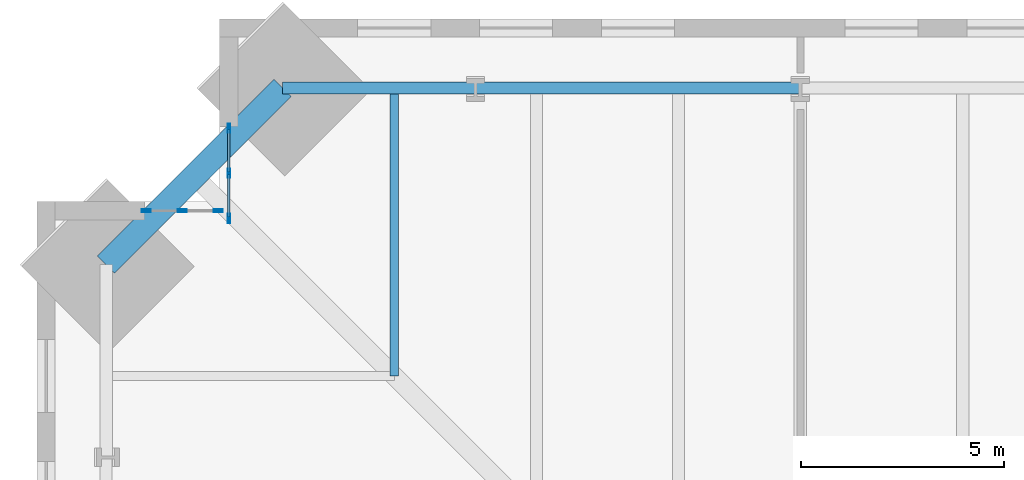
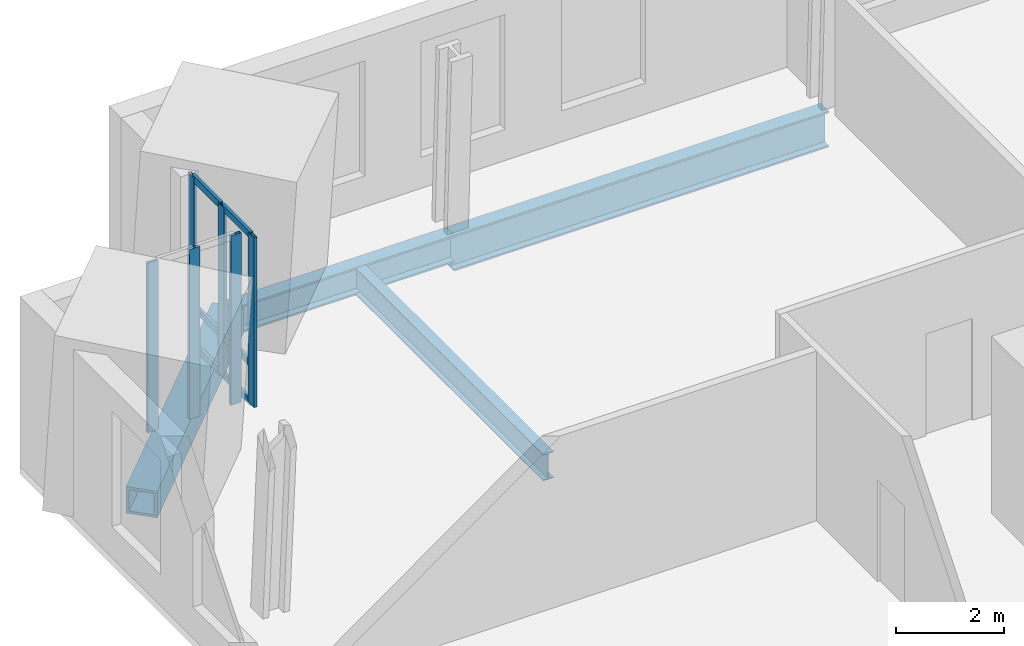
# One storey, part 6 of 17: 12 members, 4 beams, 2 elements without a shape of their own.
"""IFC4 building model written with IfcOpenShell, lengths in metres."""

from ifc_helpers import new_model, si_unit, direction, frame, origin, origin_2d, place, context, subcontext, project, spatial, hollow_rectangle, i_section, extrude, material, material_profile, profile_set, type_object, element, aggregate, save


model = new_model("IFC4")

# Units and contexts
model_context = context("Model", 3, precision=1e-05, world=origin(), true_north=direction((0.0, 1.0)))
body_context = subcontext(model_context, "Body", "Model", "MODEL_VIEW")
ifc_project = project(units=[si_unit("LENGTHUNIT", "METRE"), si_unit("AREAUNIT", "SQUARE_METRE"), si_unit("VOLUMEUNIT", "CUBIC_METRE"), si_unit("PLANEANGLEUNIT", "RADIAN"), si_unit("MASSUNIT", "GRAM", prefix="KILO")], contexts=[model_context])

# Site, building, storey
site_placement = place(None, origin())
site = spatial("IfcSite", under=ifc_project, at=site_placement, CompositionType="ELEMENT")
building_placement = place(site_placement, origin())
building = spatial("IfcBuilding", under=site, at=building_placement, Name="Peilmerk Tower", CompositionType="ELEMENT")
storey_placement = place(building_placement, frame((0.0, 0.0, 143.800048828125)))
storey = spatial("IfcBuildingStorey", under=building, at=storey_placement, Name="L29", CompositionType="ELEMENT", Elevation=143.800048828125)

# Beams
ifc_material_1 = material(Name="Steel S355", Category="steel")
ifc_material_profile_1 = material_profile(ifc_material_1, i_section(OverallWidth=0.219970703125, OverallDepth=0.60009765625, WebThickness=0.011962890625, FlangeThickness=0.01904296875, at=origin_2d()), Name="IPE 600")
ifc_profile_set_1 = profile_set([ifc_material_profile_1], Name="Steel S355")
beam_type_1 = type_object("IfcBeamType", Name="B10 IPE 600 floor beam", PredefinedType="BEAM", material=ifc_profile_set_1)
beam_1_placement = place(storey_placement, frame((-18.0, 18.0, -0.469970703125), z_axis=(0.0, 1.0, 0.0), x_axis=(-1.0, 0.0, 0.0)))
element("IfcBeam", 1, at=beam_1_placement, inside=storey, type_object=beam_type_1, Name="Floor beam L29", PredefinedType="BEAM", context=body_context, shape_type="SweptSolid", body=[
    extrude(i_section(OverallWidth=0.219970703125, OverallDepth=0.60009765625, WebThickness=0.011962890625, FlangeThickness=0.01904296875, at=origin_2d()), origin(), (0.0, 0.0, 1.0), 7.098388671875),
])
ifc_material_profile_2 = material_profile(ifc_material_1, i_section(OverallWidth=0.302978515625, OverallDepth=0.81396484375, WebThickness=0.02099609375, FlangeThickness=0.0400390625, at=origin_2d()), Name="HEM 800")
ifc_profile_set_2 = profile_set([ifc_material_profile_2], Name="Steel S355")
beam_type_2 = type_object("IfcBeamType", Name="B15 HEM 800 edge beam", PredefinedType="SPANDREL", material=ifc_profile_set_2)
beam_2_placement = place(storey_placement, frame((-8.0, 25.098388671875, -0.5771484375), z_axis=(-1.0, 0.0, 0.0), x_axis=(0.0, -1.0, 0.0)))
element("IfcBeam", 2, at=beam_2_placement, inside=storey, type_object=beam_type_2, Name="Edge beam L29", PredefinedType="SPANDREL", context=body_context, shape_type="SweptSolid", body=[
    extrude(i_section(OverallWidth=0.302978515625, OverallDepth=0.81396484375, WebThickness=0.02099609375, FlangeThickness=0.0400390625, at=origin_2d()), origin(), (0.0, 0.0, 1.0), 8.0),
])
ifc_material_2 = material(Name="Steel S460", Category="steel")
ifc_material_profile_3 = material_profile(ifc_material_2, hollow_rectangle(XDim=0.60009765625, YDim=0.60009765625, WallThickness=0.06005859375, at=origin_2d()), Name="BOX 600x600x60")
ifc_profile_set_3 = profile_set([ifc_material_profile_3], Name="Steel S460")
beam_type_3 = type_object("IfcBeamType", Name="B20 BOX 600x600x60 notch beam", PredefinedType="SPANDREL", material=ifc_profile_set_3)
beam_3_placement = place(storey_placement, frame((-25.098388671875, 20.748291015625, -0.469970703125), z_axis=(0.707106781187, 0.707106781187, 0.0), x_axis=(-0.707106781187, 0.707106781187, 0.0)))
element("IfcBeam", 3, at=beam_3_placement, inside=storey, type_object=beam_type_3, Name="Notch beam L29", PredefinedType="SPANDREL", context=body_context, shape_type="SweptSolid", body=[
    extrude(hollow_rectangle(XDim=0.60009765625, YDim=0.60009765625, WallThickness=0.06005859375, at=origin_2d()), origin(), (0.0, 0.0, 1.0), 6.15185546875),
])
ifc_material_profile_4 = material_profile(ifc_material_1, i_section(OverallWidth=0.304931640625, OverallDepth=0.6201171875, WebThickness=0.02099609375, FlangeThickness=0.0400390625, at=origin_2d()), Name="HEM 600")
ifc_profile_set_4 = profile_set([ifc_material_profile_4], Name="Steel S355")
beam_type_4 = type_object("IfcBeamType", Name="B31 HEM 600 edge beam", PredefinedType="SPANDREL", material=ifc_profile_set_4)
beam_4_placement = place(storey_placement, frame((-16.0, 25.098388671875, -0.47998046875), z_axis=(-1.0, 0.0, 0.0), x_axis=(0.0, -1.0, 0.0)))
element("IfcBeam", 4, at=beam_4_placement, inside=storey, type_object=beam_type_4, Name="Edge beam L29", PredefinedType="SPANDREL", context=body_context, shape_type="SweptSolid", body=[
    extrude(i_section(OverallWidth=0.304931640625, OverallDepth=0.6201171875, WebThickness=0.02099609375, FlangeThickness=0.0400390625, at=origin_2d()), origin(), (0.0, 0.0, 1.0), 4.748291015625),
])

# Curtain wall, members
ifc_material_3 = material(Name="Aluminium stick curtain wall", Category="aluminium")
curtain_wall_type = type_object("IfcCurtainWallType", Name="CW3 stick curtain wall, 2250 module", PredefinedType="NOTDEFINED", material=ifc_material_3)
curtain_wall_1_placement = place(storey_placement, origin())
curtain_wall_1 = element("IfcCurtainWall", 5, at=curtain_wall_1_placement, inside=storey, type_object=curtain_wall_type, Name="Curtain wall CW3 NWA L29", PredefinedType="NOTDEFINED")
ifc_material_4 = material(Name="Aluminium EN AW-6063 T6", Category="aluminium")
ifc_material_profile_5 = material_profile(ifc_material_4, hollow_rectangle(XDim=0.06494140625, YDim=0.22509765625, WallThickness=0.00390625, at=origin_2d()), Name="AL 225x65x4")
ifc_profile_set_5 = profile_set([ifc_material_profile_5], Name="Aluminium EN AW-6063 T6")
member_type_1 = type_object("IfcMemberType", Name="CW3-M AL 225x65x4 mullion", PredefinedType="MULLION", material=ifc_profile_set_5)
member_1_placement = place(storey_placement, frame((-22.074951171875, 21.882568359375, 0.0), z_axis=(0.0, 0.0, 1.0), x_axis=(-1.0, 0.0, 0.0)))
member_1 = element("IfcMember", 6, at=member_1_placement, type_object=member_type_1, Name="CW3 mullion 1", PredefinedType="MULLION", context=body_context, shape_type="SweptSolid", body=[
    extrude(hollow_rectangle(XDim=0.06494140625, YDim=0.22509765625, WallThickness=0.00390625, at=origin_2d()), origin(), (0.0, 0.0, 1.0), 3.829833984375),
])
member_2_placement = place(storey_placement, frame((-22.074951171875, 22.994384765625, 0.0), z_axis=(0.0, 0.0, 1.0), x_axis=(-1.0, 0.0, 0.0)))
member_2 = element("IfcMember", 7, at=member_2_placement, type_object=member_type_1, Name="CW3 mullion 2", PredefinedType="MULLION", context=body_context, shape_type="SweptSolid", body=[
    extrude(hollow_rectangle(XDim=0.06494140625, YDim=0.22509765625, WallThickness=0.00390625, at=origin_2d()), origin(), (0.0, 0.0, 1.0), 3.829833984375),
])
member_3_placement = place(storey_placement, frame((-22.074951171875, 24.106201171875, 0.0), z_axis=(0.0, 0.0, 1.0), x_axis=(-1.0, 0.0, 0.0)))
member_3 = element("IfcMember", 8, at=member_3_placement, type_object=member_type_1, Name="CW3 mullion 3", PredefinedType="MULLION", context=body_context, shape_type="SweptSolid", body=[
    extrude(hollow_rectangle(XDim=0.06494140625, YDim=0.22509765625, WallThickness=0.00390625, at=origin_2d()), origin(), (0.0, 0.0, 1.0), 3.829833984375),
])

curtain_wall_2_placement = place(storey_placement, origin())
curtain_wall_2 = element("IfcCurtainWall", 9, at=curtain_wall_2_placement, inside=storey, type_object=curtain_wall_type, Name="Curtain wall CW3 NWB L29", PredefinedType="NOTDEFINED")
member_4_placement = place(storey_placement, frame((-22.33251953125, 22.074951171875, 0.0), z_axis=(0.0, 0.0, 1.0), x_axis=(0.0, -1.0, 0.0)))
member_4 = element("IfcMember", 10, at=member_4_placement, type_object=member_type_1, Name="CW3 mullion 1", PredefinedType="MULLION", context=body_context, shape_type="SweptSolid", body=[
    extrude(hollow_rectangle(XDim=0.06494140625, YDim=0.22509765625, WallThickness=0.00390625, at=origin_2d()), origin(), (0.0, 0.0, 1.0), 3.829833984375),
])
member_5_placement = place(storey_placement, frame((-23.21923828125, 22.074951171875, 0.0), z_axis=(0.0, 0.0, 1.0), x_axis=(0.0, -1.0, 0.0)))
member_5 = element("IfcMember", 11, at=member_5_placement, type_object=member_type_1, Name="CW3 mullion 2", PredefinedType="MULLION", context=body_context, shape_type="SweptSolid", body=[
    extrude(hollow_rectangle(XDim=0.06494140625, YDim=0.22509765625, WallThickness=0.00390625, at=origin_2d()), origin(), (0.0, 0.0, 1.0), 3.829833984375),
])
member_6_placement = place(storey_placement, frame((-24.106201171875, 22.074951171875, 0.0), z_axis=(0.0, 0.0, 1.0), x_axis=(0.0, -1.0, 0.0)))
member_6 = element("IfcMember", 12, at=member_6_placement, type_object=member_type_1, Name="CW3 mullion 3", PredefinedType="MULLION", context=body_context, shape_type="SweptSolid", body=[
    extrude(hollow_rectangle(XDim=0.06494140625, YDim=0.22509765625, WallThickness=0.00390625, at=origin_2d()), origin(), (0.0, 0.0, 1.0), 3.829833984375),
])
aggregate(curtain_wall_2, [member_4, member_5, member_6])

# Member
ifc_material_profile_6 = material_profile(ifc_material_4, hollow_rectangle(XDim=0.06494140625, YDim=0.14990234375, WallThickness=0.0029296875, at=origin_2d()), Name="AL 150x65x3")
ifc_profile_set_6 = profile_set([ifc_material_profile_6], Name="Aluminium EN AW-6063 T6")
member_type_2 = type_object("IfcMemberType", Name="CW3-T AL 150x65x3 transom", PredefinedType="USERDEFINED", material=ifc_profile_set_6)
member_7_placement = place(storey_placement, frame((-22.074951171875, 21.9150390625, 0.032470703125), z_axis=(0.0, 1.0, 0.0), x_axis=(-1.0, 0.0, 0.0)))
member_7 = element("IfcMember", 13, at=member_7_placement, type_object=member_type_2, Name="CW3 transom 1.1", ObjectType="TRANSOM", PredefinedType="USERDEFINED", context=body_context, shape_type="SweptSolid", body=[
    extrude(hollow_rectangle(XDim=0.06494140625, YDim=0.14990234375, WallThickness=0.0029296875, at=origin_2d()), origin(), (0.0, 0.0, 1.0), 1.046875),
])

member_8_placement = place(storey_placement, frame((-22.074951171875, 21.9150390625, 0.89990234375), z_axis=(0.0, 1.0, 0.0), x_axis=(-1.0, 0.0, 0.0)))
member_8 = element("IfcMember", 14, at=member_8_placement, type_object=member_type_2, Name="CW3 transom 1.2", ObjectType="TRANSOM", PredefinedType="USERDEFINED", context=body_context, shape_type="SweptSolid", body=[
    extrude(hollow_rectangle(XDim=0.06494140625, YDim=0.14990234375, WallThickness=0.0029296875, at=origin_2d()), origin(), (0.0, 0.0, 1.0), 1.046875),
])

member_9_placement = place(storey_placement, frame((-22.074951171875, 21.9150390625, 3.79736328125), z_axis=(0.0, 1.0, 0.0), x_axis=(-1.0, 0.0, 0.0)))
member_9 = element("IfcMember", 15, at=member_9_placement, type_object=member_type_2, Name="CW3 transom 1.3", ObjectType="TRANSOM", PredefinedType="USERDEFINED", context=body_context, shape_type="SweptSolid", body=[
    extrude(hollow_rectangle(XDim=0.06494140625, YDim=0.14990234375, WallThickness=0.0029296875, at=origin_2d()), origin(), (0.0, 0.0, 1.0), 1.046875),
])

member_10_placement = place(storey_placement, frame((-22.074951171875, 23.02685546875, 0.032470703125), z_axis=(0.0, 1.0, 0.0), x_axis=(-1.0, 0.0, 0.0)))
member_10 = element("IfcMember", 16, at=member_10_placement, type_object=member_type_2, Name="CW3 transom 2.1", ObjectType="TRANSOM", PredefinedType="USERDEFINED", context=body_context, shape_type="SweptSolid", body=[
    extrude(hollow_rectangle(XDim=0.06494140625, YDim=0.14990234375, WallThickness=0.0029296875, at=origin_2d()), origin(), (0.0, 0.0, 1.0), 1.046875),
])

member_11_placement = place(storey_placement, frame((-22.074951171875, 23.02685546875, 0.89990234375), z_axis=(0.0, 1.0, 0.0), x_axis=(-1.0, 0.0, 0.0)))
member_11 = element("IfcMember", 17, at=member_11_placement, type_object=member_type_2, Name="CW3 transom 2.2", ObjectType="TRANSOM", PredefinedType="USERDEFINED", context=body_context, shape_type="SweptSolid", body=[
    extrude(hollow_rectangle(XDim=0.06494140625, YDim=0.14990234375, WallThickness=0.0029296875, at=origin_2d()), origin(), (0.0, 0.0, 1.0), 1.046875),
])

member_12_placement = place(storey_placement, frame((-22.074951171875, 23.02685546875, 3.79736328125), z_axis=(0.0, 1.0, 0.0), x_axis=(-1.0, 0.0, 0.0)))
member_12 = element("IfcMember", 18, at=member_12_placement, type_object=member_type_2, Name="CW3 transom 2.3", ObjectType="TRANSOM", PredefinedType="USERDEFINED", context=body_context, shape_type="SweptSolid", body=[
    extrude(hollow_rectangle(XDim=0.06494140625, YDim=0.14990234375, WallThickness=0.0029296875, at=origin_2d()), origin(), (0.0, 0.0, 1.0), 1.046875),
])

aggregate(curtain_wall_1, [member_1, member_2, member_3, member_7, member_8, member_9, member_10, member_11, member_12])

save(model, "model.ifc")
